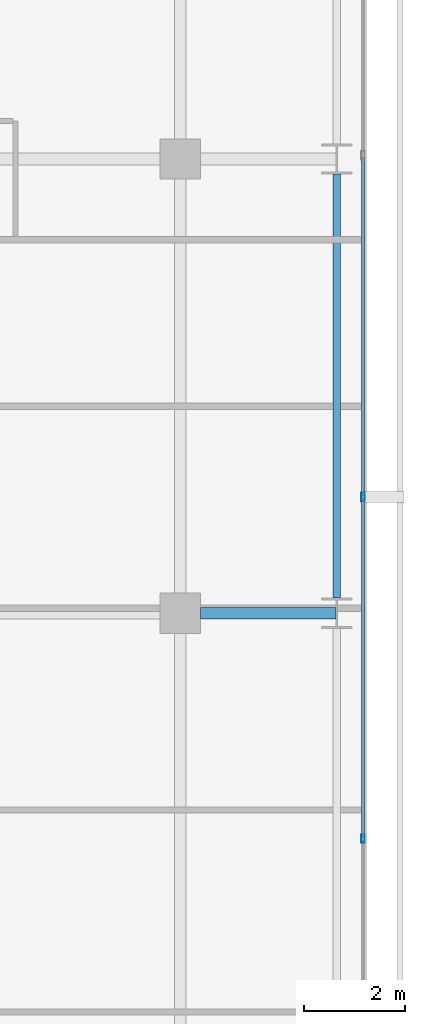
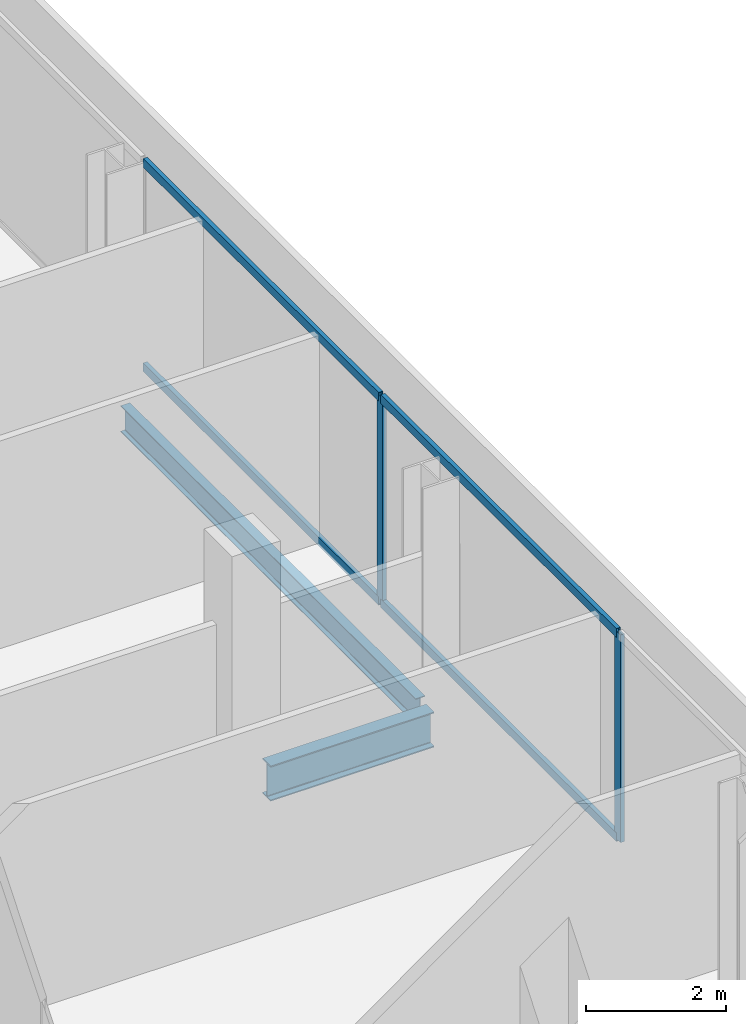
# One storey, part 17 of 34: 6 members, 2 beams, 1 element without a shape of its own.
"""IFC4 building model written with IfcOpenShell, lengths in metres."""

from ifc_helpers import new_model, si_unit, direction, frame, origin, origin_2d, place, context, subcontext, project, spatial, hollow_rectangle, i_section, extrude, material, layer, layer_set, material_profile, profile_set, type_object, element, aggregate, save


model = new_model("IFC4")

# Units and contexts
model_context = context("Model", 3, precision=1e-05, world=origin(), true_north=direction((0.0, 1.0)))
body_context = subcontext(model_context, "Body", "Model", "MODEL_VIEW")
ifc_project = project(units=[si_unit("LENGTHUNIT", "METRE"), si_unit("AREAUNIT", "SQUARE_METRE"), si_unit("VOLUMEUNIT", "CUBIC_METRE"), si_unit("PLANEANGLEUNIT", "RADIAN"), si_unit("MASSUNIT", "GRAM", prefix="KILO")], contexts=[model_context])

# Site, building, storey
site_placement = place(None, origin())
site = spatial("IfcSite", under=ifc_project, at=site_placement, CompositionType="ELEMENT")
building_placement = place(site_placement, origin())
building = spatial("IfcBuilding", under=site, at=building_placement, Name="Maruvema Waterfront Hotel and Observation Tower", CompositionType="ELEMENT")
storey_placement = place(building_placement, frame((0.0, 0.0, 127.39990234375)))
storey = spatial("IfcBuildingStorey", under=building, at=storey_placement, Name="L30", CompositionType="ELEMENT", Elevation=127.39990234375)

# Curtain wall, members
ifc_material_1 = material(Name="Anodised bronze aluminium and solar-control low-E IGU", Category="aluminium")
ifc_layer = layer(ifc_material_1, 0.159912109375, Name="Zone 2 Amber Inner Thermal Curtain Wall System CW-03")
ifc_layer_set = layer_set([ifc_layer], Name="Anodised bronze aluminium and solar-control low-E IGU")
curtain_wall_type = type_object("IfcCurtainWallType", Name="Zone 2 Amber Inner Thermal Curtain Wall System CW-03", PredefinedType="USERDEFINED", material=ifc_layer_set)
curtain_wall_placement = place(storey_placement, origin())
curtain_wall = element("IfcCurtainWall", 1, at=curtain_wall_placement, inside=storey, type_object=curtain_wall_type, Name="L30 Curtain Wall CW-L30-E", ObjectType="UNITISED CURTAIN WALL", PredefinedType="USERDEFINED")
ifc_material_2 = material(Name="Anodised architectural bronze aluminium", Category="aluminium")
ifc_material_profile_1 = material_profile(ifc_material_2, hollow_rectangle(XDim=0.070068359375, YDim=0.14990234375, WallThickness=0.00390625, at=origin_2d()), Name="ALU-T70x150")
ifc_profile_set_1 = profile_set([ifc_material_profile_1], Name="Anodised architectural bronze aluminium")
member_type_1 = type_object("IfcMemberType", Name="Curtain Wall Horizontal Transom ALU-T70x150", PredefinedType="USERDEFINED", material=ifc_profile_set_1)
member_1_placement = place(storey_placement, frame((62.419921875, 22.563232421875, 0.030029296875), z_axis=(0.0, 1.0, 0.0), x_axis=(-1.0, 0.0, 0.0)))
member_1 = element("IfcMember", 2, at=member_1_placement, type_object=member_type_1, Name="CW-03 transom 3.1", ObjectType="TRANSOM", PredefinedType="USERDEFINED", context=body_context, shape_type="SweptSolid", body=[
    extrude(hollow_rectangle(XDim=0.070068359375, YDim=0.14990234375, WallThickness=0.00390625, at=origin_2d()), origin(), (0.0, 0.0, 1.0), 6.706787109375),
])
member_2_placement = place(storey_placement, frame((62.419921875, 22.563232421875, 3.580078125), z_axis=(0.0, 1.0, 0.0), x_axis=(-1.0, 0.0, 0.0)))
member_2 = element("IfcMember", 3, at=member_2_placement, type_object=member_type_1, Name="CW-03 transom 3.2", ObjectType="TRANSOM", PredefinedType="USERDEFINED", context=body_context, shape_type="SweptSolid", body=[
    extrude(hollow_rectangle(XDim=0.070068359375, YDim=0.14990234375, WallThickness=0.00390625, at=origin_2d()), origin(), (0.0, 0.0, 1.0), 6.706787109375),
])
member_3_placement = place(storey_placement, frame((62.419921875, 29.330078125, 0.030029296875), z_axis=(0.0, 1.0, 0.0), x_axis=(-1.0, 0.0, 0.0)))
member_3 = element("IfcMember", 4, at=member_3_placement, type_object=member_type_1, Name="CW-03 transom 4.1", ObjectType="TRANSOM", PredefinedType="USERDEFINED", context=body_context, shape_type="SweptSolid", body=[
    extrude(hollow_rectangle(XDim=0.070068359375, YDim=0.14990234375, WallThickness=0.00390625, at=origin_2d()), origin(), (0.0, 0.0, 1.0), 6.70654296875),
])
member_4_placement = place(storey_placement, frame((62.419921875, 29.330078125, 3.580078125), z_axis=(0.0, 1.0, 0.0), x_axis=(-1.0, 0.0, 0.0)))
member_4 = element("IfcMember", 5, at=member_4_placement, type_object=member_type_1, Name="CW-03 transom 4.2", ObjectType="TRANSOM", PredefinedType="USERDEFINED", context=body_context, shape_type="SweptSolid", body=[
    extrude(hollow_rectangle(XDim=0.070068359375, YDim=0.14990234375, WallThickness=0.00390625, at=origin_2d()), origin(), (0.0, 0.0, 1.0), 6.70654296875),
])
ifc_material_3 = material(Name="Anodised architectural bronze aluminium", Category="aluminium")
ifc_material_profile_2 = material_profile(ifc_material_3, hollow_rectangle(XDim=0.06494140625, YDim=0.1650390625, WallThickness=0.00390625, at=origin_2d()), Name="ALU-M65x165")
ifc_profile_set_2 = profile_set([ifc_material_profile_2], Name="Anodised architectural bronze aluminium")
member_type_2 = type_object("IfcMemberType", Name="Curtain Wall Primary Mullion ALU-M65x165", PredefinedType="MULLION", material=ifc_profile_set_2)
member_5_placement = place(storey_placement, frame((62.419921875, 22.533447265625, 0.0), z_axis=(0.0, 0.0, 1.0), x_axis=(-1.0, 0.0, 0.0)))
member_5 = element("IfcMember", 6, at=member_5_placement, type_object=member_type_2, Name="CW-03 mullion 3", PredefinedType="MULLION", context=body_context, shape_type="SweptSolid", body=[
    extrude(hollow_rectangle(XDim=0.06494140625, YDim=0.1650390625, WallThickness=0.00390625, at=origin_2d()), origin(), (0.0, 0.0, 1.0), 3.610107421875),
])
member_6_placement = place(storey_placement, frame((62.419921875, 29.300048828125, 0.0), z_axis=(0.0, 0.0, 1.0), x_axis=(-1.0, 0.0, 0.0)))
member_6 = element("IfcMember", 7, at=member_6_placement, type_object=member_type_2, Name="CW-03 mullion 4", PredefinedType="MULLION", context=body_context, shape_type="SweptSolid", body=[
    extrude(hollow_rectangle(XDim=0.06494140625, YDim=0.1650390625, WallThickness=0.00390625, at=origin_2d()), origin(), (0.0, 0.0, 1.0), 3.610107421875),
])
aggregate(curtain_wall, [member_5, member_6, member_1, member_2, member_3, member_4])

# Beams
ifc_material_4 = material(Name="Steel ASTM A572 Grade 50", Category="steel")
ifc_material_profile_3 = material_profile(ifc_material_4, i_section(OverallWidth=0.153076171875, OverallDepth=0.455078125, WebThickness=0.008056640625, FlangeThickness=0.01318359375, FilletRadius=0.014892578125, at=origin_2d()), Name="W460x60.0")
ifc_profile_set_3 = profile_set([ifc_material_profile_3], Name="Steel ASTM A572 Grade 50")
beam_type_1 = type_object("IfcBeamType", Name="Perimeter Spandrel Beam W460x60.0", PredefinedType="SPANDREL", material=ifc_profile_set_3)
beam_1_placement = place(storey_placement, frame((61.89990234375, 27.300048828125, -0.46728515625), z_axis=(0.0, 1.0, 0.0), x_axis=(-1.0, 0.0, 0.0)))
element("IfcBeam", 8, at=beam_1_placement, inside=storey, type_object=beam_type_1, Name="L30 Floor Girder NS-31", PredefinedType="SPANDREL", context=body_context, shape_type="SweptSolid", body=[
    extrude(i_section(OverallWidth=0.153076171875, OverallDepth=0.455078125, WebThickness=0.008056640625, FlangeThickness=0.01318359375, FilletRadius=0.014892578125, at=origin_2d()), origin(), (0.0, 0.0, 1.0), 8.39990234375),
])
ifc_material_5 = material(Name="Steel ASTM A572 Grade 50", Category="steel")
ifc_material_profile_4 = material_profile(ifc_material_5, i_section(OverallWidth=0.22900390625, OverallDepth=0.612060546875, WebThickness=0.011962890625, FlangeThickness=0.01953125, FilletRadius=0.01806640625, at=origin_2d()), Name="W610x125.0")
ifc_profile_set_4 = profile_set([ifc_material_profile_4], Name="Steel ASTM A572 Grade 50")
beam_type_2 = type_object("IfcBeamType", Name="Primary Floor Girder W610x125.0", PredefinedType="BEAM", material=ifc_profile_set_4)
beam_2_placement = place(storey_placement, frame((59.199951171875, 27.0, -0.5458984375), z_axis=(1.0, 0.0, 0.0), x_axis=(0.0, 1.0, 0.0)))
element("IfcBeam", 9, at=beam_2_placement, inside=storey, type_object=beam_type_2, Name="L30 Floor Girder EW-22", PredefinedType="BEAM", context=body_context, shape_type="SweptSolid", body=[
    extrude(i_section(OverallWidth=0.22900390625, OverallDepth=0.612060546875, WebThickness=0.011962890625, FlangeThickness=0.01953125, FilletRadius=0.01806640625, at=origin_2d()), origin(), (0.0, 0.0, 1.0), 2.6875),
])

save(model, "model.ifc")
